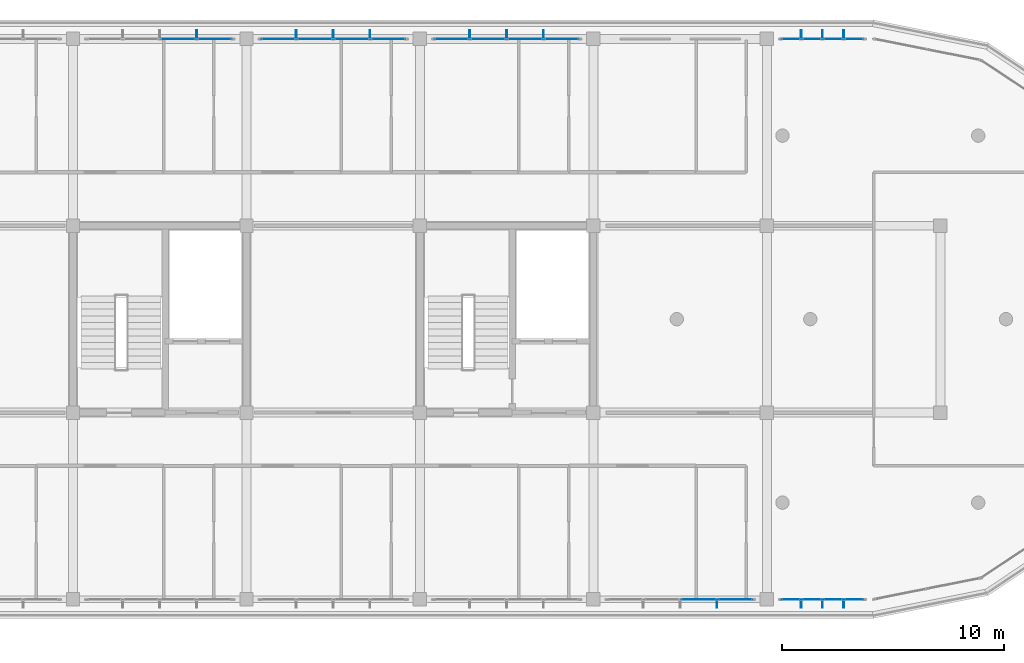
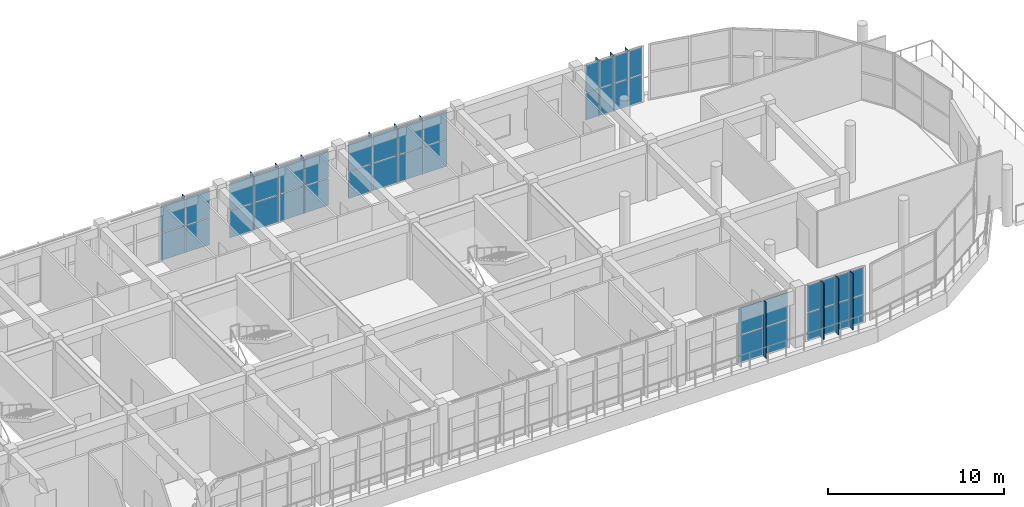
# One storey, part 45 of 56: 54 plates, 6 elements without a shape of their own.
"""IFC4 building model written with IfcOpenShell, lengths in metres."""

from ifc_helpers import new_model, si_unit, direction, frame, origin, origin_2d, place, context, subcontext, project, spatial, polyline, rectangle, outline, extrude, material, layer, layer_set, type_object, element, aggregate, save


model = new_model("IFC4")

# Units and contexts
model_context = context("Model", 3, precision=1e-05, world=origin(), true_north=direction((0.0, 1.0)))
body_context = subcontext(model_context, "Body", "Model", "MODEL_VIEW")
ifc_project = project(units=[si_unit("LENGTHUNIT", "METRE"), si_unit("AREAUNIT", "SQUARE_METRE"), si_unit("VOLUMEUNIT", "CUBIC_METRE"), si_unit("PLANEANGLEUNIT", "RADIAN"), si_unit("MASSUNIT", "GRAM", prefix="KILO")], contexts=[model_context])

# Site, building, storey
site_placement = place(None, origin())
site = spatial("IfcSite", under=ifc_project, at=site_placement, CompositionType="ELEMENT")
building_placement = place(site_placement, origin())
building = spatial("IfcBuilding", under=site, at=building_placement, Name="Zizhar Promenade General Hospital", CompositionType="ELEMENT")
storey_placement = place(building_placement, frame((0.0, 0.0, 26.39990234375)))
storey = spatial("IfcBuildingStorey", under=building, at=storey_placement, Name="L06", CompositionType="ELEMENT", Elevation=26.39990234375)

# Curtain wall, plates
ifc_material_1 = material(Name="Anodised aluminium 6063-T6 and low-E glass", Category="aluminium")
ifc_layer_1 = layer(ifc_material_1, 0.159912109375)
ifc_layer_set_1 = layer_set([ifc_layer_1], Name="Anodised aluminium 6063-T6 and low-E glass")
curtain_wall_type = type_object("IfcCurtainWallType", Name="CW-WARD-RIB", PredefinedType="NOTDEFINED", material=ifc_layer_set_1)
curtain_wall_1_placement = place(storey_placement, origin())
curtain_wall_1 = element("IfcCurtainWall", 1, at=curtain_wall_1_placement, inside=storey, type_object=curtain_wall_type, Name="Ward Ribbon Curtain Wall L06-8-6", PredefinedType="NOTDEFINED")
ifc_material_2 = material(Name="Low-E solar-control glass", Category="glass")
ifc_layer_2 = layer(ifc_material_2, 0.031982421875)
ifc_layer_set_2 = layer_set([ifc_layer_2], Name="Low-E solar-control glass")
plate_type_1 = type_object("IfcPlateType", Name="CWP-GLZ-32", PredefinedType="CURTAIN_PANEL", material=ifc_layer_set_2)
plate_1_placement = place(storey_placement, frame((82.72998046875, 25.199951171875, 0.06005859375), z_axis=(0.0, 0.0, 1.0), x_axis=(1.0, 0.0, 0.0)))
plate_1 = element("IfcPlate", 2, at=plate_1_placement, type_object=plate_type_1, Name="CW-13 panel 3.1", PredefinedType="CURTAIN_PANEL", context=body_context, shape_type="SweptSolid", body=[
    extrude(rectangle(XDim=1.580078125, YDim=0.031982421875, at=origin_2d()), origin(), (0.0, 0.0, 1.0), 1.860107421875),
])
plate_2_placement = place(storey_placement, frame((82.72998046875, 25.199951171875, 1.97998046875), z_axis=(0.0, 0.0, 1.0), x_axis=(1.0, 0.0, 0.0)))
plate_2 = element("IfcPlate", 3, at=plate_2_placement, type_object=plate_type_1, Name="CW-13 panel 3.2", PredefinedType="CURTAIN_PANEL", context=body_context, shape_type="SweptSolid", body=[
    extrude(rectangle(XDim=1.580078125, YDim=0.031982421875, at=origin_2d()), origin(), (0.0, 0.0, 1.0), 1.860107421875),
])
plate_3_placement = place(storey_placement, frame((84.3701171875, 25.199951171875, 0.06005859375), z_axis=(0.0, 0.0, 1.0), x_axis=(1.0, 0.0, 0.0)))
plate_3 = element("IfcPlate", 4, at=plate_3_placement, type_object=plate_type_1, Name="CW-13 panel 4.1", PredefinedType="CURTAIN_PANEL", context=body_context, shape_type="SweptSolid", body=[
    extrude(rectangle(XDim=1.5400390625, YDim=0.031982421875, at=origin_2d()), origin(), (0.0, 0.0, 1.0), 1.860107421875),
])
plate_4_placement = place(storey_placement, frame((84.3701171875, 25.199951171875, 1.97998046875), z_axis=(0.0, 0.0, 1.0), x_axis=(1.0, 0.0, 0.0)))
plate_4 = element("IfcPlate", 5, at=plate_4_placement, type_object=plate_type_1, Name="CW-13 panel 4.2", PredefinedType="CURTAIN_PANEL", context=body_context, shape_type="SweptSolid", body=[
    extrude(rectangle(XDim=1.5400390625, YDim=0.031982421875, at=origin_2d()), origin(), (0.0, 0.0, 1.0), 1.860107421875),
])
aggregate(curtain_wall_1, [plate_1, plate_2, plate_3, plate_4])

curtain_wall_2_placement = place(storey_placement, origin())
curtain_wall_2 = element("IfcCurtainWall", 6, at=curtain_wall_2_placement, inside=storey, type_object=curtain_wall_type, Name="Ward Ribbon Curtain Wall L06-8-7", PredefinedType="NOTDEFINED")
plate_5_placement = place(storey_placement, frame((87.22998046875, 25.199951171875, 0.06005859375), z_axis=(0.0, 0.0, 1.0), x_axis=(1.0, 0.0, 0.0)))
plate_5 = element("IfcPlate", 7, at=plate_5_placement, type_object=plate_type_1, Name="CW-13 panel 1.1", PredefinedType="CURTAIN_PANEL", context=body_context, shape_type="SweptSolid", body=[
    extrude(rectangle(XDim=1.5400390625, YDim=0.031982421875, at=origin_2d()), origin(), (0.0, 0.0, 1.0), 1.860107421875),
])
plate_6_placement = place(storey_placement, frame((87.22998046875, 25.199951171875, 1.97998046875), z_axis=(0.0, 0.0, 1.0), x_axis=(1.0, 0.0, 0.0)))
plate_6 = element("IfcPlate", 8, at=plate_6_placement, type_object=plate_type_1, Name="CW-13 panel 1.2", PredefinedType="CURTAIN_PANEL", context=body_context, shape_type="SweptSolid", body=[
    extrude(rectangle(XDim=1.5400390625, YDim=0.031982421875, at=origin_2d()), origin(), (0.0, 0.0, 1.0), 1.860107421875),
])
plate_7_placement = place(storey_placement, frame((88.8701171875, 25.199951171875, 0.06005859375), z_axis=(0.0, 0.0, 1.0), x_axis=(1.0, 0.0, 0.0)))
plate_7 = element("IfcPlate", 9, at=plate_7_placement, type_object=plate_type_1, Name="CW-13 panel 2.1", PredefinedType="CURTAIN_PANEL", context=body_context, shape_type="SweptSolid", body=[
    extrude(rectangle(XDim=1.580078125, YDim=0.031982421875, at=origin_2d()), origin(), (0.0, 0.0, 1.0), 1.860107421875),
])
plate_8_placement = place(storey_placement, frame((88.8701171875, 25.199951171875, 1.97998046875), z_axis=(0.0, 0.0, 1.0), x_axis=(1.0, 0.0, 0.0)))
plate_8 = element("IfcPlate", 10, at=plate_8_placement, type_object=plate_type_1, Name="CW-13 panel 2.2", PredefinedType="CURTAIN_PANEL", context=body_context, shape_type="SweptSolid", body=[
    extrude(rectangle(XDim=1.580078125, YDim=0.031982421875, at=origin_2d()), origin(), (0.0, 0.0, 1.0), 1.860107421875),
])
plate_9_placement = place(storey_placement, frame((90.530029296875, 25.199951171875, 0.06005859375), z_axis=(0.0, 0.0, 1.0), x_axis=(1.0, 0.0, 0.0)))
plate_9 = element("IfcPlate", 11, at=plate_9_placement, type_object=plate_type_1, Name="CW-13 panel 3.1", PredefinedType="CURTAIN_PANEL", context=body_context, shape_type="SweptSolid", body=[
    extrude(rectangle(XDim=1.580078125, YDim=0.031982421875, at=origin_2d()), origin(), (0.0, 0.0, 1.0), 1.860107421875),
])
plate_10_placement = place(storey_placement, frame((90.530029296875, 25.199951171875, 1.97998046875), z_axis=(0.0, 0.0, 1.0), x_axis=(1.0, 0.0, 0.0)))
plate_10 = element("IfcPlate", 12, at=plate_10_placement, type_object=plate_type_1, Name="CW-13 panel 3.2", PredefinedType="CURTAIN_PANEL", context=body_context, shape_type="SweptSolid", body=[
    extrude(rectangle(XDim=1.580078125, YDim=0.031982421875, at=origin_2d()), origin(), (0.0, 0.0, 1.0), 1.860107421875),
])
plate_11_placement = place(storey_placement, frame((92.169921875, 25.199951171875, 0.06005859375), z_axis=(0.0, 0.0, 1.0), x_axis=(1.0, 0.0, 0.0)))
plate_11 = element("IfcPlate", 13, at=plate_11_placement, type_object=plate_type_1, Name="CW-13 panel 4.1", PredefinedType="CURTAIN_PANEL", context=body_context, shape_type="SweptSolid", body=[
    extrude(rectangle(XDim=1.5400390625, YDim=0.031982421875, at=origin_2d()), origin(), (0.0, 0.0, 1.0), 1.860107421875),
])
plate_12_placement = place(storey_placement, frame((92.169921875, 25.199951171875, 1.97998046875), z_axis=(0.0, 0.0, 1.0), x_axis=(1.0, 0.0, 0.0)))
plate_12 = element("IfcPlate", 14, at=plate_12_placement, type_object=plate_type_1, Name="CW-13 panel 4.2", PredefinedType="CURTAIN_PANEL", context=body_context, shape_type="SweptSolid", body=[
    extrude(rectangle(XDim=1.5400390625, YDim=0.031982421875, at=origin_2d()), origin(), (0.0, 0.0, 1.0), 1.860107421875),
])
aggregate(curtain_wall_2, [plate_5, plate_6, plate_7, plate_8, plate_9, plate_10, plate_11, plate_12])

curtain_wall_3_placement = place(storey_placement, origin())
curtain_wall_3 = element("IfcCurtainWall", 15, at=curtain_wall_3_placement, inside=storey, type_object=curtain_wall_type, Name="Ward Ribbon Curtain Wall L06-8-8", PredefinedType="NOTDEFINED")
plate_13_placement = place(storey_placement, frame((95.030029296875, 25.199951171875, 0.06005859375), z_axis=(0.0, 0.0, 1.0), x_axis=(1.0, 0.0, 0.0)))
plate_13 = element("IfcPlate", 16, at=plate_13_placement, type_object=plate_type_1, Name="CW-13 panel 1.1", PredefinedType="CURTAIN_PANEL", context=body_context, shape_type="SweptSolid", body=[
    extrude(rectangle(XDim=1.5400390625, YDim=0.031982421875, at=origin_2d()), origin(), (0.0, 0.0, 1.0), 1.860107421875),
])
plate_14_placement = place(storey_placement, frame((95.030029296875, 25.199951171875, 1.97998046875), z_axis=(0.0, 0.0, 1.0), x_axis=(1.0, 0.0, 0.0)))
plate_14 = element("IfcPlate", 17, at=plate_14_placement, type_object=plate_type_1, Name="CW-13 panel 1.2", PredefinedType="CURTAIN_PANEL", context=body_context, shape_type="SweptSolid", body=[
    extrude(rectangle(XDim=1.5400390625, YDim=0.031982421875, at=origin_2d()), origin(), (0.0, 0.0, 1.0), 1.860107421875),
])
plate_15_placement = place(storey_placement, frame((96.669921875, 25.199951171875, 0.06005859375), z_axis=(0.0, 0.0, 1.0), x_axis=(1.0, 0.0, 0.0)))
plate_15 = element("IfcPlate", 18, at=plate_15_placement, type_object=plate_type_1, Name="CW-13 panel 2.1", PredefinedType="CURTAIN_PANEL", context=body_context, shape_type="SweptSolid", body=[
    extrude(rectangle(XDim=1.580078125, YDim=0.031982421875, at=origin_2d()), origin(), (0.0, 0.0, 1.0), 1.860107421875),
])
plate_16_placement = place(storey_placement, frame((96.669921875, 25.199951171875, 1.97998046875), z_axis=(0.0, 0.0, 1.0), x_axis=(1.0, 0.0, 0.0)))
plate_16 = element("IfcPlate", 19, at=plate_16_placement, type_object=plate_type_1, Name="CW-13 panel 2.2", PredefinedType="CURTAIN_PANEL", context=body_context, shape_type="SweptSolid", body=[
    extrude(rectangle(XDim=1.580078125, YDim=0.031982421875, at=origin_2d()), origin(), (0.0, 0.0, 1.0), 1.860107421875),
])
plate_17_placement = place(storey_placement, frame((98.330078125, 25.199951171875, 0.06005859375), z_axis=(0.0, 0.0, 1.0), x_axis=(1.0, 0.0, 0.0)))
plate_17 = element("IfcPlate", 20, at=plate_17_placement, type_object=plate_type_1, Name="CW-13 panel 3.1", PredefinedType="CURTAIN_PANEL", context=body_context, shape_type="SweptSolid", body=[
    extrude(rectangle(XDim=1.580078125, YDim=0.031982421875, at=origin_2d()), origin(), (0.0, 0.0, 1.0), 1.860107421875),
])
plate_18_placement = place(storey_placement, frame((98.330078125, 25.199951171875, 1.97998046875), z_axis=(0.0, 0.0, 1.0), x_axis=(1.0, 0.0, 0.0)))
plate_18 = element("IfcPlate", 21, at=plate_18_placement, type_object=plate_type_1, Name="CW-13 panel 3.2", PredefinedType="CURTAIN_PANEL", context=body_context, shape_type="SweptSolid", body=[
    extrude(rectangle(XDim=1.580078125, YDim=0.031982421875, at=origin_2d()), origin(), (0.0, 0.0, 1.0), 1.860107421875),
])
plate_19_placement = place(storey_placement, frame((99.969970703125, 25.199951171875, 0.06005859375), z_axis=(0.0, 0.0, 1.0), x_axis=(1.0, 0.0, 0.0)))
plate_19 = element("IfcPlate", 22, at=plate_19_placement, type_object=plate_type_1, Name="CW-13 panel 4.1", PredefinedType="CURTAIN_PANEL", context=body_context, shape_type="SweptSolid", body=[
    extrude(rectangle(XDim=1.5400390625, YDim=0.031982421875, at=origin_2d()), origin(), (0.0, 0.0, 1.0), 1.860107421875),
])
plate_20_placement = place(storey_placement, frame((99.969970703125, 25.199951171875, 1.97998046875), z_axis=(0.0, 0.0, 1.0), x_axis=(1.0, 0.0, 0.0)))
plate_20 = element("IfcPlate", 23, at=plate_20_placement, type_object=plate_type_1, Name="CW-13 panel 4.2", PredefinedType="CURTAIN_PANEL", context=body_context, shape_type="SweptSolid", body=[
    extrude(rectangle(XDim=1.5400390625, YDim=0.031982421875, at=origin_2d()), origin(), (0.0, 0.0, 1.0), 1.860107421875),
])
aggregate(curtain_wall_3, [plate_13, plate_14, plate_15, plate_16, plate_17, plate_18, plate_19, plate_20])

curtain_wall_4_placement = place(storey_placement, origin())
curtain_wall_4 = element("IfcCurtainWall", 24, at=curtain_wall_4_placement, inside=storey, type_object=curtain_wall_type, Name="Ward Ribbon Curtain Wall L06-8-10", PredefinedType="NOTDEFINED")
plate_21_placement = place(storey_placement, frame((110.280029296875, 25.199951171875, 0.06005859375), z_axis=(0.0, 0.0, 1.0), x_axis=(1.0, 0.0, 0.0)))
plate_21 = element("IfcPlate", 25, at=plate_21_placement, type_object=plate_type_1, Name="CW-13 panel 1.1", PredefinedType="CURTAIN_PANEL", context=body_context, shape_type="SweptSolid", body=[
    extrude(rectangle(XDim=0.840087890625, YDim=0.031982421875, at=origin_2d()), origin(), (0.0, 0.0, 1.0), 1.860107421875),
])
plate_22_placement = place(storey_placement, frame((110.280029296875, 25.199951171875, 1.97998046875), z_axis=(0.0, 0.0, 1.0), x_axis=(1.0, 0.0, 0.0)))
plate_22 = element("IfcPlate", 26, at=plate_22_placement, type_object=plate_type_1, Name="CW-13 panel 1.2", PredefinedType="CURTAIN_PANEL", context=body_context, shape_type="SweptSolid", body=[
    extrude(rectangle(XDim=0.840087890625, YDim=0.031982421875, at=origin_2d()), origin(), (0.0, 0.0, 1.0), 1.860107421875),
])
plate_23_placement = place(storey_placement, frame((111.219970703125, 25.199951171875, 0.06005859375), z_axis=(0.0, 0.0, 1.0), x_axis=(1.0, 0.0, 0.0)))
plate_23 = element("IfcPlate", 27, at=plate_23_placement, type_object=plate_type_1, Name="CW-13 panel 2.1", PredefinedType="CURTAIN_PANEL", context=body_context, shape_type="SweptSolid", body=[
    extrude(rectangle(XDim=0.8798828125, YDim=0.031982421875, at=origin_2d()), origin(), (0.0, 0.0, 1.0), 1.860107421875),
])
plate_24_placement = place(storey_placement, frame((111.219970703125, 25.199951171875, 1.97998046875), z_axis=(0.0, 0.0, 1.0), x_axis=(1.0, 0.0, 0.0)))
plate_24 = element("IfcPlate", 28, at=plate_24_placement, type_object=plate_type_1, Name="CW-13 panel 2.2", PredefinedType="CURTAIN_PANEL", context=body_context, shape_type="SweptSolid", body=[
    extrude(rectangle(XDim=0.8798828125, YDim=0.031982421875, at=origin_2d()), origin(), (0.0, 0.0, 1.0), 1.860107421875),
])
plate_25_placement = place(storey_placement, frame((112.179931640625, 25.199951171875, 0.06005859375), z_axis=(0.0, 0.0, 1.0), x_axis=(1.0, 0.0, 0.0)))
plate_25 = element("IfcPlate", 29, at=plate_25_placement, type_object=plate_type_1, Name="CW-13 panel 3.1", PredefinedType="CURTAIN_PANEL", context=body_context, shape_type="SweptSolid", body=[
    extrude(rectangle(XDim=0.8798828125, YDim=0.031982421875, at=origin_2d()), origin(), (0.0, 0.0, 1.0), 1.860107421875),
])
plate_26_placement = place(storey_placement, frame((112.179931640625, 25.199951171875, 1.97998046875), z_axis=(0.0, 0.0, 1.0), x_axis=(1.0, 0.0, 0.0)))
plate_26 = element("IfcPlate", 30, at=plate_26_placement, type_object=plate_type_1, Name="CW-13 panel 3.2", PredefinedType="CURTAIN_PANEL", context=body_context, shape_type="SweptSolid", body=[
    extrude(rectangle(XDim=0.8798828125, YDim=0.031982421875, at=origin_2d()), origin(), (0.0, 0.0, 1.0), 1.860107421875),
])
plate_27_placement = place(storey_placement, frame((113.1201171875, 25.199951171875, 0.06005859375), z_axis=(0.0, 0.0, 1.0), x_axis=(1.0, 0.0, 0.0)))
plate_27 = element("IfcPlate", 31, at=plate_27_placement, type_object=plate_type_1, Name="CW-13 panel 4.1", PredefinedType="CURTAIN_PANEL", context=body_context, shape_type="SweptSolid", body=[
    extrude(rectangle(XDim=0.840087890625, YDim=0.031982421875, at=origin_2d()), origin(), (0.0, 0.0, 1.0), 1.860107421875),
])
plate_28_placement = place(storey_placement, frame((113.1201171875, 25.199951171875, 1.97998046875), z_axis=(0.0, 0.0, 1.0), x_axis=(1.0, 0.0, 0.0)))
plate_28 = element("IfcPlate", 32, at=plate_28_placement, type_object=plate_type_1, Name="CW-13 panel 4.2", PredefinedType="CURTAIN_PANEL", context=body_context, shape_type="SweptSolid", body=[
    extrude(rectangle(XDim=0.840087890625, YDim=0.031982421875, at=origin_2d()), origin(), (0.0, 0.0, 1.0), 1.860107421875),
])
aggregate(curtain_wall_4, [plate_21, plate_22, plate_23, plate_24, plate_25, plate_26, plate_27, plate_28])

curtain_wall_5_placement = place(storey_placement, origin())
curtain_wall_5 = element("IfcCurtainWall", 33, at=curtain_wall_5_placement, inside=storey, type_object=curtain_wall_type, Name="Ward Ribbon Curtain Wall L06-17-0", PredefinedType="NOTDEFINED")
plate_29_placement = place(storey_placement, frame((113.1201171875, 0.0, 0.06005859375), z_axis=(0.0, 0.0, 1.0), x_axis=(-1.0, 0.0, 0.0)))
plate_29 = element("IfcPlate", 34, at=plate_29_placement, type_object=plate_type_1, Name="CW-13 panel 1.1", PredefinedType="CURTAIN_PANEL", context=body_context, shape_type="SweptSolid", body=[
    extrude(rectangle(XDim=0.840087890625, YDim=0.031982421875, at=origin_2d()), origin(), (0.0, 0.0, 1.0), 1.860107421875),
])
plate_30_placement = place(storey_placement, frame((113.1201171875, 0.0, 1.97998046875), z_axis=(0.0, 0.0, 1.0), x_axis=(-1.0, 0.0, 0.0)))
plate_30 = element("IfcPlate", 35, at=plate_30_placement, type_object=plate_type_1, Name="CW-13 panel 1.2", PredefinedType="CURTAIN_PANEL", context=body_context, shape_type="SweptSolid", body=[
    extrude(rectangle(XDim=0.840087890625, YDim=0.031982421875, at=origin_2d()), origin(), (0.0, 0.0, 1.0), 1.860107421875),
])
plate_31_placement = place(storey_placement, frame((112.179931640625, 0.0, 0.06005859375), z_axis=(0.0, 0.0, 1.0), x_axis=(-1.0, 0.0, 0.0)))
plate_31 = element("IfcPlate", 36, at=plate_31_placement, type_object=plate_type_1, Name="CW-13 panel 2.1", PredefinedType="CURTAIN_PANEL", context=body_context, shape_type="SweptSolid", body=[
    extrude(rectangle(XDim=0.8798828125, YDim=0.031982421875, at=origin_2d()), origin(), (0.0, 0.0, 1.0), 1.860107421875),
])
plate_32_placement = place(storey_placement, frame((112.179931640625, 0.0, 1.97998046875), z_axis=(0.0, 0.0, 1.0), x_axis=(-1.0, 0.0, 0.0)))
plate_32 = element("IfcPlate", 37, at=plate_32_placement, type_object=plate_type_1, Name="CW-13 panel 2.2", PredefinedType="CURTAIN_PANEL", context=body_context, shape_type="SweptSolid", body=[
    extrude(rectangle(XDim=0.8798828125, YDim=0.031982421875, at=origin_2d()), origin(), (0.0, 0.0, 1.0), 1.860107421875),
])
plate_33_placement = place(storey_placement, frame((111.219970703125, 0.0, 0.06005859375), z_axis=(0.0, 0.0, 1.0), x_axis=(-1.0, 0.0, 0.0)))
plate_33 = element("IfcPlate", 38, at=plate_33_placement, type_object=plate_type_1, Name="CW-13 panel 3.1", PredefinedType="CURTAIN_PANEL", context=body_context, shape_type="SweptSolid", body=[
    extrude(rectangle(XDim=0.8798828125, YDim=0.031982421875, at=origin_2d()), origin(), (0.0, 0.0, 1.0), 1.860107421875),
])
plate_34_placement = place(storey_placement, frame((111.219970703125, 0.0, 1.97998046875), z_axis=(0.0, 0.0, 1.0), x_axis=(-1.0, 0.0, 0.0)))
plate_34 = element("IfcPlate", 39, at=plate_34_placement, type_object=plate_type_1, Name="CW-13 panel 3.2", PredefinedType="CURTAIN_PANEL", context=body_context, shape_type="SweptSolid", body=[
    extrude(rectangle(XDim=0.8798828125, YDim=0.031982421875, at=origin_2d()), origin(), (0.0, 0.0, 1.0), 1.860107421875),
])
plate_35_placement = place(storey_placement, frame((110.280029296875, 0.0, 0.06005859375), z_axis=(0.0, 0.0, 1.0), x_axis=(-1.0, 0.0, 0.0)))
plate_35 = element("IfcPlate", 40, at=plate_35_placement, type_object=plate_type_1, Name="CW-13 panel 4.1", PredefinedType="CURTAIN_PANEL", context=body_context, shape_type="SweptSolid", body=[
    extrude(rectangle(XDim=0.840087890625, YDim=0.031982421875, at=origin_2d()), origin(), (0.0, 0.0, 1.0), 1.860107421875),
])
plate_36_placement = place(storey_placement, frame((110.280029296875, 0.0, 1.97998046875), z_axis=(0.0, 0.0, 1.0), x_axis=(-1.0, 0.0, 0.0)))
plate_36 = element("IfcPlate", 41, at=plate_36_placement, type_object=plate_type_1, Name="CW-13 panel 4.2", PredefinedType="CURTAIN_PANEL", context=body_context, shape_type="SweptSolid", body=[
    extrude(rectangle(XDim=0.840087890625, YDim=0.031982421875, at=origin_2d()), origin(), (0.0, 0.0, 1.0), 1.860107421875),
])
aggregate(curtain_wall_5, [plate_29, plate_30, plate_31, plate_32, plate_33, plate_34, plate_35, plate_36])

curtain_wall_6_placement = place(storey_placement, origin())
curtain_wall_6 = element("IfcCurtainWall", 42, at=curtain_wall_6_placement, inside=storey, type_object=curtain_wall_type, Name="Ward Ribbon Curtain Wall L06-17-1", PredefinedType="NOTDEFINED")
plate_37_placement = place(storey_placement, frame((107.77001953125, 0.0, 0.06005859375), z_axis=(0.0, 0.0, 1.0), x_axis=(-1.0, 0.0, 0.0)))
plate_37 = element("IfcPlate", 43, at=plate_37_placement, type_object=plate_type_1, Name="CW-13 panel 1.1", PredefinedType="CURTAIN_PANEL", context=body_context, shape_type="SweptSolid", body=[
    extrude(rectangle(XDim=1.5400390625, YDim=0.031982421875, at=origin_2d()), origin(), (0.0, 0.0, 1.0), 1.860107421875),
])
plate_38_placement = place(storey_placement, frame((107.77001953125, 0.0, 1.97998046875), z_axis=(0.0, 0.0, 1.0), x_axis=(-1.0, 0.0, 0.0)))
plate_38 = element("IfcPlate", 44, at=plate_38_placement, type_object=plate_type_1, Name="CW-13 panel 1.2", PredefinedType="CURTAIN_PANEL", context=body_context, shape_type="SweptSolid", body=[
    extrude(rectangle(XDim=1.5400390625, YDim=0.031982421875, at=origin_2d()), origin(), (0.0, 0.0, 1.0), 1.860107421875),
])
plate_39_placement = place(storey_placement, frame((106.1298828125, 0.0, 0.06005859375), z_axis=(0.0, 0.0, 1.0), x_axis=(-1.0, 0.0, 0.0)))
plate_39 = element("IfcPlate", 45, at=plate_39_placement, type_object=plate_type_1, Name="CW-13 panel 2.1", PredefinedType="CURTAIN_PANEL", context=body_context, shape_type="SweptSolid", body=[
    extrude(rectangle(XDim=1.580078125, YDim=0.031982421875, at=origin_2d()), origin(), (0.0, 0.0, 1.0), 1.860107421875),
])
plate_40_placement = place(storey_placement, frame((106.1298828125, 0.0, 1.97998046875), z_axis=(0.0, 0.0, 1.0), x_axis=(-1.0, 0.0, 0.0)))
plate_40 = element("IfcPlate", 46, at=plate_40_placement, type_object=plate_type_1, Name="CW-13 panel 2.2", PredefinedType="CURTAIN_PANEL", context=body_context, shape_type="SweptSolid", body=[
    extrude(rectangle(XDim=1.580078125, YDim=0.031982421875, at=origin_2d()), origin(), (0.0, 0.0, 1.0), 1.860107421875),
])
aggregate(curtain_wall_6, [plate_37, plate_38, plate_39, plate_40])

# Plates
ifc_material_3 = material(Name="Anodised aluminium 6063-T6", Category="aluminium")
ifc_layer_3 = layer(ifc_material_3, 0.035888671875)
ifc_layer_set_3 = layer_set([ifc_layer_3], Name="Anodised aluminium 6063-T6")
plate_type_2 = type_object("IfcPlateType", Name="FIN-ALU-380", PredefinedType="USERDEFINED", material=ifc_layer_set_3)
plate_41_placement = place(storey_placement, origin())
element("IfcPlate", 47, at=plate_41_placement, inside=storey, type_object=plate_type_2, Name="Ward Ribbon Curtain Wall L06-8-6 Solar Fin 3", ObjectType="SOLAR_SHADE", PredefinedType="USERDEFINED", context=body_context, shape_type="SweptSolid", body=[
    extrude(outline(polyline([(83.5419921875, 25.199951171875), (83.577880859375, 25.199951171875), (83.577880859375, 25.580078125), (83.5419921875, 25.580078125), (83.5419921875, 25.199951171875)])), origin(), (0.0, 0.0, 1.0), 3.900146484375),
])
plate_42_placement = place(storey_placement, origin())
element("IfcPlate", 48, at=plate_42_placement, inside=storey, type_object=plate_type_2, Name="Ward Ribbon Curtain Wall L06-8-7 Solar Fin 1", ObjectType="SOLAR_SHADE", PredefinedType="USERDEFINED", context=body_context, shape_type="SweptSolid", body=[
    extrude(outline(polyline([(88.02197265625, 25.199951171875), (88.05810546875, 25.199951171875), (88.05810546875, 25.580078125), (88.02197265625, 25.580078125), (88.02197265625, 25.199951171875)])), origin(), (0.0, 0.0, 1.0), 3.900146484375),
])
plate_43_placement = place(storey_placement, origin())
element("IfcPlate", 49, at=plate_43_placement, inside=storey, type_object=plate_type_2, Name="Ward Ribbon Curtain Wall L06-8-7 Solar Fin 2", ObjectType="SOLAR_SHADE", PredefinedType="USERDEFINED", context=body_context, shape_type="SweptSolid", body=[
    extrude(outline(polyline([(89.681884765625, 25.199951171875), (89.718017578125, 25.199951171875), (89.718017578125, 25.580078125), (89.681884765625, 25.580078125), (89.681884765625, 25.199951171875)])), origin(), (0.0, 0.0, 1.0), 3.900146484375),
])
plate_44_placement = place(storey_placement, origin())
element("IfcPlate", 50, at=plate_44_placement, inside=storey, type_object=plate_type_2, Name="Ward Ribbon Curtain Wall L06-8-7 Solar Fin 3", ObjectType="SOLAR_SHADE", PredefinedType="USERDEFINED", context=body_context, shape_type="SweptSolid", body=[
    extrude(outline(polyline([(91.342041015625, 25.199951171875), (91.3779296875, 25.199951171875), (91.3779296875, 25.580078125), (91.342041015625, 25.580078125), (91.342041015625, 25.199951171875)])), origin(), (0.0, 0.0, 1.0), 3.900146484375),
])
plate_45_placement = place(storey_placement, origin())
element("IfcPlate", 51, at=plate_45_placement, inside=storey, type_object=plate_type_2, Name="Ward Ribbon Curtain Wall L06-8-8 Solar Fin 1", ObjectType="SOLAR_SHADE", PredefinedType="USERDEFINED", context=body_context, shape_type="SweptSolid", body=[
    extrude(outline(polyline([(95.822021484375, 25.199951171875), (95.85791015625, 25.199951171875), (95.85791015625, 25.580078125), (95.822021484375, 25.580078125), (95.822021484375, 25.199951171875)])), origin(), (0.0, 0.0, 1.0), 3.900146484375),
])
plate_46_placement = place(storey_placement, origin())
element("IfcPlate", 52, at=plate_46_placement, inside=storey, type_object=plate_type_2, Name="Ward Ribbon Curtain Wall L06-8-8 Solar Fin 2", ObjectType="SOLAR_SHADE", PredefinedType="USERDEFINED", context=body_context, shape_type="SweptSolid", body=[
    extrude(outline(polyline([(97.48193359375, 25.199951171875), (97.51806640625, 25.199951171875), (97.51806640625, 25.580078125), (97.48193359375, 25.580078125), (97.48193359375, 25.199951171875)])), origin(), (0.0, 0.0, 1.0), 3.900146484375),
])
plate_47_placement = place(storey_placement, origin())
element("IfcPlate", 53, at=plate_47_placement, inside=storey, type_object=plate_type_2, Name="Ward Ribbon Curtain Wall L06-8-8 Solar Fin 3", ObjectType="SOLAR_SHADE", PredefinedType="USERDEFINED", context=body_context, shape_type="SweptSolid", body=[
    extrude(outline(polyline([(99.14208984375, 25.199951171875), (99.177978515625, 25.199951171875), (99.177978515625, 25.580078125), (99.14208984375, 25.580078125), (99.14208984375, 25.199951171875)])), origin(), (0.0, 0.0, 1.0), 3.900146484375),
])
plate_48_placement = place(storey_placement, origin())
element("IfcPlate", 54, at=plate_48_placement, inside=storey, type_object=plate_type_2, Name="Ward Ribbon Curtain Wall L06-8-10 Solar Fin 1", ObjectType="SOLAR_SHADE", PredefinedType="USERDEFINED", context=body_context, shape_type="SweptSolid", body=[
    extrude(outline(polyline([(110.721923828125, 25.199951171875), (110.758056640625, 25.199951171875), (110.758056640625, 25.580078125), (110.721923828125, 25.580078125), (110.721923828125, 25.199951171875)])), origin(), (0.0, 0.0, 1.0), 3.900146484375),
])
plate_49_placement = place(storey_placement, origin())
element("IfcPlate", 55, at=plate_49_placement, inside=storey, type_object=plate_type_2, Name="Ward Ribbon Curtain Wall L06-8-10 Solar Fin 2", ObjectType="SOLAR_SHADE", PredefinedType="USERDEFINED", context=body_context, shape_type="SweptSolid", body=[
    extrude(outline(polyline([(111.681884765625, 25.199951171875), (111.718017578125, 25.199951171875), (111.718017578125, 25.580078125), (111.681884765625, 25.580078125), (111.681884765625, 25.199951171875)])), origin(), (0.0, 0.0, 1.0), 3.900146484375),
])
plate_50_placement = place(storey_placement, origin())
element("IfcPlate", 56, at=plate_50_placement, inside=storey, type_object=plate_type_2, Name="Ward Ribbon Curtain Wall L06-8-10 Solar Fin 3", ObjectType="SOLAR_SHADE", PredefinedType="USERDEFINED", context=body_context, shape_type="SweptSolid", body=[
    extrude(outline(polyline([(112.64208984375, 25.199951171875), (112.677978515625, 25.199951171875), (112.677978515625, 25.580078125), (112.64208984375, 25.580078125), (112.64208984375, 25.199951171875)])), origin(), (0.0, 0.0, 1.0), 3.900146484375),
])
plate_51_placement = place(storey_placement, origin())
element("IfcPlate", 57, at=plate_51_placement, inside=storey, type_object=plate_type_2, Name="Ward Ribbon Curtain Wall L06-17-0 Solar Fin 1", ObjectType="SOLAR_SHADE", PredefinedType="USERDEFINED", context=body_context, shape_type="SweptSolid", body=[
    extrude(outline(polyline([(112.677978515625, 0.0), (112.64208984375, 0.0), (112.64208984375, -0.3798828125), (112.677978515625, -0.3798828125), (112.677978515625, 0.0)])), origin(), (0.0, 0.0, 1.0), 3.900146484375),
])
plate_52_placement = place(storey_placement, origin())
element("IfcPlate", 58, at=plate_52_placement, inside=storey, type_object=plate_type_2, Name="Ward Ribbon Curtain Wall L06-17-0 Solar Fin 2", ObjectType="SOLAR_SHADE", PredefinedType="USERDEFINED", context=body_context, shape_type="SweptSolid", body=[
    extrude(outline(polyline([(111.718017578125, 0.0), (111.681884765625, 0.0), (111.681884765625, -0.3798828125), (111.718017578125, -0.3798828125), (111.718017578125, 0.0)])), origin(), (0.0, 0.0, 1.0), 3.900146484375),
])
plate_53_placement = place(storey_placement, origin())
element("IfcPlate", 59, at=plate_53_placement, inside=storey, type_object=plate_type_2, Name="Ward Ribbon Curtain Wall L06-17-0 Solar Fin 3", ObjectType="SOLAR_SHADE", PredefinedType="USERDEFINED", context=body_context, shape_type="SweptSolid", body=[
    extrude(outline(polyline([(110.758056640625, 0.0), (110.721923828125, 0.0), (110.721923828125, -0.3798828125), (110.758056640625, -0.3798828125), (110.758056640625, 0.0)])), origin(), (0.0, 0.0, 1.0), 3.900146484375),
])
plate_54_placement = place(storey_placement, origin())
element("IfcPlate", 60, at=plate_54_placement, inside=storey, type_object=plate_type_2, Name="Ward Ribbon Curtain Wall L06-17-1 Solar Fin 1", ObjectType="SOLAR_SHADE", PredefinedType="USERDEFINED", context=body_context, shape_type="SweptSolid", body=[
    extrude(outline(polyline([(106.97802734375, 0.0), (106.94189453125, 0.0), (106.94189453125, -0.3798828125), (106.97802734375, -0.3798828125), (106.97802734375, 0.0)])), origin(), (0.0, 0.0, 1.0), 3.900146484375),
])

save(model, "model.ifc")
